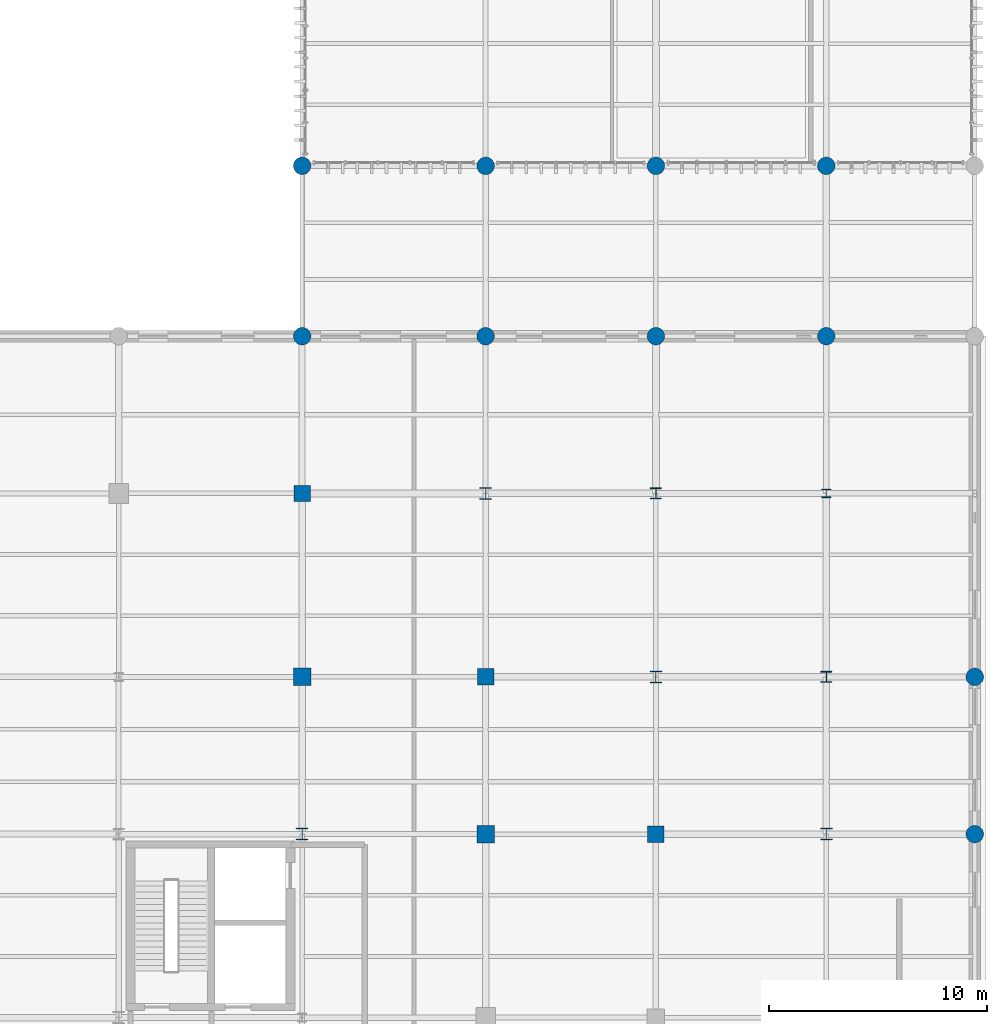
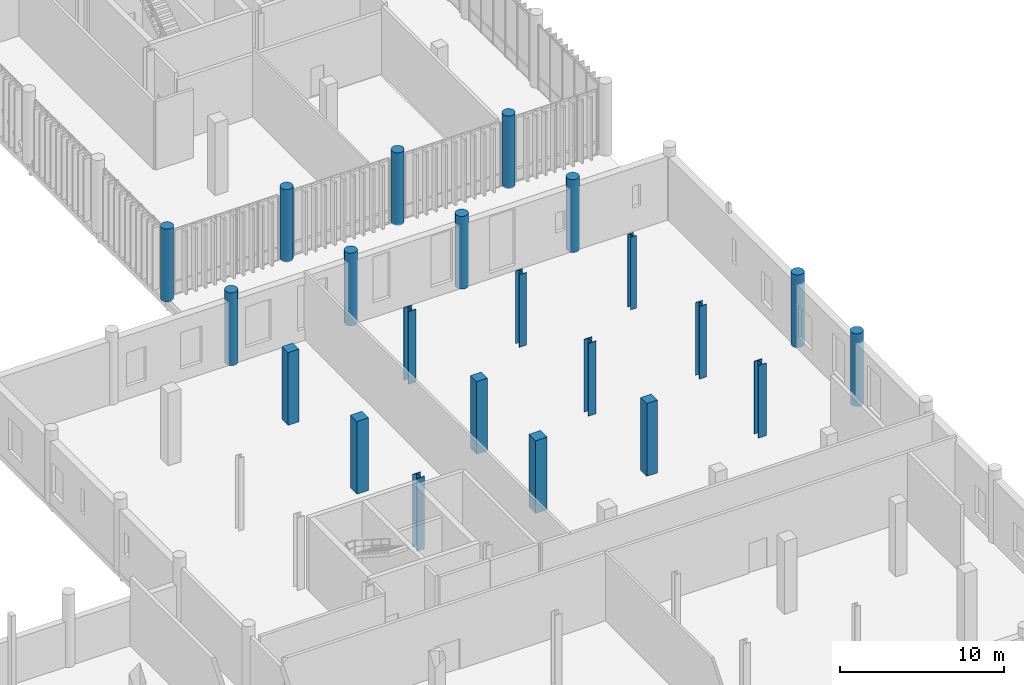
# One storey, part 11 of 128: 22 columns.
"""IFC4 building model written with IfcOpenShell, lengths in metres."""

from ifc_helpers import new_model, si_unit, direction, frame, origin_with_axes, origin_2d_with_axis, place, context, subcontext, project, spatial, rectangle, circle, i_section, extrude, material, material_profile, profile_set, type_object, element, save


model = new_model("IFC4")

# Units and contexts
model_context = context("Model", 3, precision=1e-05, world=origin_with_axes(), true_north=direction((0.0, 1.0)))
body_context = subcontext(model_context, "Body", "Model", "MODEL_VIEW")
ifc_project = project(units=[si_unit("LENGTHUNIT", "METRE"), si_unit("AREAUNIT", "SQUARE_METRE"), si_unit("VOLUMEUNIT", "CUBIC_METRE"), si_unit("PLANEANGLEUNIT", "RADIAN"), si_unit("MASSUNIT", "GRAM", prefix="KILO"), si_unit("THERMODYNAMICTEMPERATUREUNIT", "KELVIN")], contexts=[model_context])

# Site, building, storey
site_placement = place(None, origin_with_axes())
site = spatial("IfcSite", under=ifc_project, at=site_placement, CompositionType="ELEMENT")
building_placement = place(site_placement, origin_with_axes())
building = spatial("IfcBuilding", under=site, at=building_placement, Name="Montbau Bow Law Courts", CompositionType="ELEMENT")
storey_placement = place(building_placement, frame((0.0, 0.0, 5.4), z_axis=(0.0, 0.0, 1.0), x_axis=(1.0, 0.0, 0.0)))
storey = spatial("IfcBuildingStorey", under=building, at=storey_placement, Name="L01", CompositionType="ELEMENT", Elevation=5.4)

# Columns
ifc_material_1 = material(Name="Concrete CSA A23.1 f'c 45 MPa", Category="concrete")
ifc_material_profile_1 = material_profile(ifc_material_1, rectangle(XDim=0.8, YDim=0.8, at=origin_2d_with_axis()), Name="RC800X800", Category="Main", Priority=0)
ifc_profile_set_1 = profile_set([ifc_material_profile_1], Name="Concrete CSA A23.1 f'c 45 MPa")
column_type_1 = type_object("IfcColumnType", Name="C-RC-02", PredefinedType="COLUMN", material=ifc_profile_set_1)
for number, where, z_axis, x_axis, name in (
    (1, (138.6, 46.2, 5.4), (0.0, 0.0, 1.0), (1.0, 0.0, 0.0), "C-L01-S0460:col2_0460"),
    (2, (147.0, 39.0, 5.4), (0.0, 0.0, 1.0), (1.0, 0.0, 0.0), "C-L01-S0472:col2_0472"),
):
    element("IfcColumn", number, at=place(None, frame(where, z_axis=z_axis, x_axis=x_axis)), inside=storey, type_object=column_type_1, Name=name, PredefinedType="COLUMN", context=body_context, shape_type="SweptSolid", body=[
        extrude(rectangle(XDim=0.8, YDim=0.8, at=origin_2d_with_axis()), origin_with_axes(), (0.0, 0.0, 1.0), 5.4),
    ])
ifc_material_2 = material(Name="Concrete CSA A23.1 f'c 40 MPa", Category="concrete")
ifc_material_profile_2 = material_profile(ifc_material_2, rectangle(XDim=0.75, YDim=0.75, at=origin_2d_with_axis()), Name="RC750X750", Category="Main", Priority=0)
ifc_profile_set_2 = profile_set([ifc_material_profile_2], Name="Concrete CSA A23.1 f'c 40 MPa")
column_type_2 = type_object("IfcColumnType", Name="C-RC-03", PredefinedType="COLUMN", material=ifc_profile_set_2)
for number, where, z_axis, x_axis, name in (
    (3, (138.6, 54.6, 5.4), (0.0, 0.0, 1.0), (1.0, 0.0, 0.0), "C-L01-S0461:col2_0461"),
    (4, (147.0, 46.2, 5.4), (0.0, 0.0, 1.0), (1.0, 0.0, 0.0), "C-L01-S0473:col2_0473"),
    (5, (154.8, 39.0, 5.4), (0.0, 0.0, 1.0), (1.0, 0.0, 0.0), "C-L01-S0485:col2_0485"),
):
    element("IfcColumn", number, at=place(None, frame(where, z_axis=z_axis, x_axis=x_axis)), inside=storey, type_object=column_type_2, Name=name, PredefinedType="COLUMN", context=body_context, shape_type="SweptSolid", body=[
        extrude(rectangle(XDim=0.75, YDim=0.75, at=origin_2d_with_axis()), origin_with_axes(), (0.0, 0.0, 1.0), 5.4),
    ])
ifc_material_profile_3 = material_profile(ifc_material_2, circle(Radius=0.4, at=origin_2d_with_axis()), Name="RC800D", Category="Main", Priority=0)
ifc_profile_set_3 = profile_set([ifc_material_profile_3], Name="Concrete CSA A23.1 f'c 40 MPa")
column_type_3 = type_object("IfcColumnType", Name="C-RC-07", PredefinedType="COLUMN", material=ifc_profile_set_3)
for number, where, z_axis, x_axis, name in (
    (6, (138.6, 61.8, 5.4), (0.0, 0.0, 1.0), (1.0, 0.0, 0.0), "C-L01-S0462:col2_0462"),
    (7, (138.6, 69.6, 5.4), (0.0, 0.0, 1.0), (1.0, 0.0, 0.0), "C-L01-S0463:col2_0463"),
    (8, (147.0, 61.8, 5.4), (0.0, 0.0, 1.0), (1.0, 0.0, 0.0), "C-L01-S0475:col2_0475"),
    (9, (147.0, 69.6, 5.4), (0.0, 0.0, 1.0), (1.0, 0.0, 0.0), "C-L01-S0476:col2_0476"),
    (10, (154.8, 61.8, 5.4), (0.0, 0.0, 1.0), (1.0, 0.0, 0.0), "C-L01-S0488:col2_0488"),
    (11, (154.8, 69.6, 5.4), (0.0, 0.0, 1.0), (1.0, 0.0, 0.0), "C-L01-S0489:col2_0489"),
    (12, (162.6, 61.8, 5.4), (0.0, 0.0, 1.0), (1.0, 0.0, 0.0), "C-L01-S0501:col2_0501"),
    (13, (162.6, 69.6, 5.4), (0.0, 0.0, 1.0), (1.0, 0.0, 0.0), "C-L01-S0502:col2_0502"),
    (14, (169.4, 39.0, 5.4), (0.0, 0.0, 1.0), (1.0, 0.0, 0.0), "C-L01-S0511:col2_0511"),
    (15, (169.4, 46.2, 5.4), (0.0, 0.0, 1.0), (1.0, 0.0, 0.0), "C-L01-S0512:col2_0512"),
):
    element("IfcColumn", number, at=place(None, frame(where, z_axis=z_axis, x_axis=x_axis)), inside=storey, type_object=column_type_3, Name=name, PredefinedType="COLUMN", context=body_context, shape_type="SweptSolid", body=[
        extrude(circle(Radius=0.4, at=origin_2d_with_axis()), origin_with_axes(), (0.0, 0.0, 1.0), 5.4),
    ])
ifc_material_3 = material(Name="Steel CSA G40.21 Grade 350W (350 MPa)", Category="steel")
ifc_material_profile_4 = material_profile(ifc_material_3, i_section(OverallWidth=0.55, OverallDepth=0.55, WebThickness=0.025, FlangeThickness=0.042, at=origin_2d_with_axis()), Name="WWF550X420", Category="Main", Priority=0)
ifc_profile_set_4 = profile_set([ifc_material_profile_4], Name="Steel CSA G40.21 Grade 350W (350 MPa)")
column_type_4 = type_object("IfcColumnType", Name="C-STL-01", PredefinedType="COLUMN", material=ifc_profile_set_4)
for number, where, z_axis, x_axis, name in (
    (16, (138.6, 39.0, 5.4), (0.0, 0.0, 1.0), (1.0, 0.0, 0.0), "C-L01-S0459:col2_0459"),
    (17, (147.0, 54.6, 5.4), (0.0, 0.0, 1.0), (1.0, 0.0, 0.0), "C-L01-S0474:col2_0474"),
    (18, (154.8, 46.2, 5.4), (0.0, 0.0, 1.0), (1.0, 0.0, 0.0), "C-L01-S0486:col2_0486"),
    (19, (162.6, 39.0, 5.4), (0.0, 0.0, 1.0), (1.0, 0.0, 0.0), "C-L01-S0498:col2_0498"),
):
    element("IfcColumn", number, at=place(None, frame(where, z_axis=z_axis, x_axis=x_axis)), inside=storey, type_object=column_type_4, Name=name, PredefinedType="COLUMN", context=body_context, shape_type="SweptSolid", body=[
        extrude(i_section(OverallWidth=0.55, OverallDepth=0.55, WebThickness=0.025, FlangeThickness=0.042, at=origin_2d_with_axis()), origin_with_axes(), (0.0, 0.0, 1.0), 5.4),
    ])
ifc_material_profile_5 = material_profile(ifc_material_3, i_section(OverallWidth=0.5, OverallDepth=0.5, WebThickness=0.022, FlangeThickness=0.036, at=origin_2d_with_axis()), Name="WWF500X343", Category="Main", Priority=0)
ifc_profile_set_5 = profile_set([ifc_material_profile_5], Name="Steel CSA G40.21 Grade 350W (350 MPa)")
column_type_5 = type_object("IfcColumnType", Name="C-STL-02", PredefinedType="COLUMN", material=ifc_profile_set_5)
for number, where, z_axis, x_axis, name in (
    (20, (154.8, 54.6, 5.4), (0.0, 0.0, 1.0), (1.0, 0.0, 0.0), "C-L01-S0487:col2_0487"),
    (21, (162.6, 46.2, 5.4), (0.0, 0.0, 1.0), (1.0, 0.0, 0.0), "C-L01-S0499:col2_0499"),
):
    element("IfcColumn", number, at=place(None, frame(where, z_axis=z_axis, x_axis=x_axis)), inside=storey, type_object=column_type_5, Name=name, PredefinedType="COLUMN", context=body_context, shape_type="SweptSolid", body=[
        extrude(i_section(OverallWidth=0.5, OverallDepth=0.5, WebThickness=0.022, FlangeThickness=0.036, at=origin_2d_with_axis()), origin_with_axes(), (0.0, 0.0, 1.0), 5.4),
    ])
ifc_material_profile_6 = material_profile(ifc_material_3, i_section(OverallWidth=0.395, OverallDepth=0.38, WebThickness=0.0189, FlangeThickness=0.0302, at=origin_2d_with_axis()), Name="W360X237", Category="Main", Priority=0)
ifc_profile_set_6 = profile_set([ifc_material_profile_6], Name="Steel CSA G40.21 Grade 350W (350 MPa)")
column_type_6 = type_object("IfcColumnType", Name="C-STL-03", PredefinedType="COLUMN", material=ifc_profile_set_6)
column_placement = place(None, frame((162.6, 54.6, 5.4), z_axis=(0.0, 0.0, 1.0), x_axis=(1.0, 0.0, 0.0)))
element("IfcColumn", 22, at=column_placement, inside=storey, type_object=column_type_6, Name="C-L01-S0500:col2_0500", PredefinedType="COLUMN", context=body_context, shape_type="SweptSolid", body=[
    extrude(i_section(OverallWidth=0.395, OverallDepth=0.38, WebThickness=0.0189, FlangeThickness=0.0302, at=origin_2d_with_axis()), origin_with_axes(), (0.0, 0.0, 1.0), 5.4),
])

save(model, "model.ifc")
